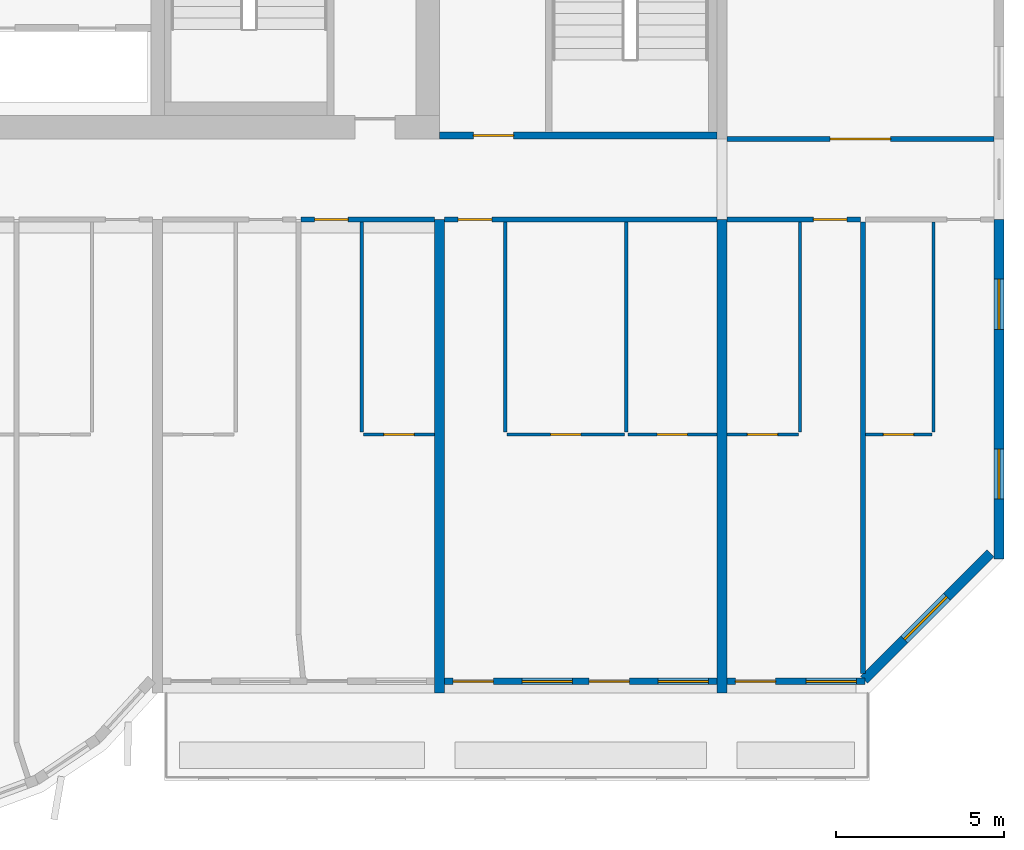
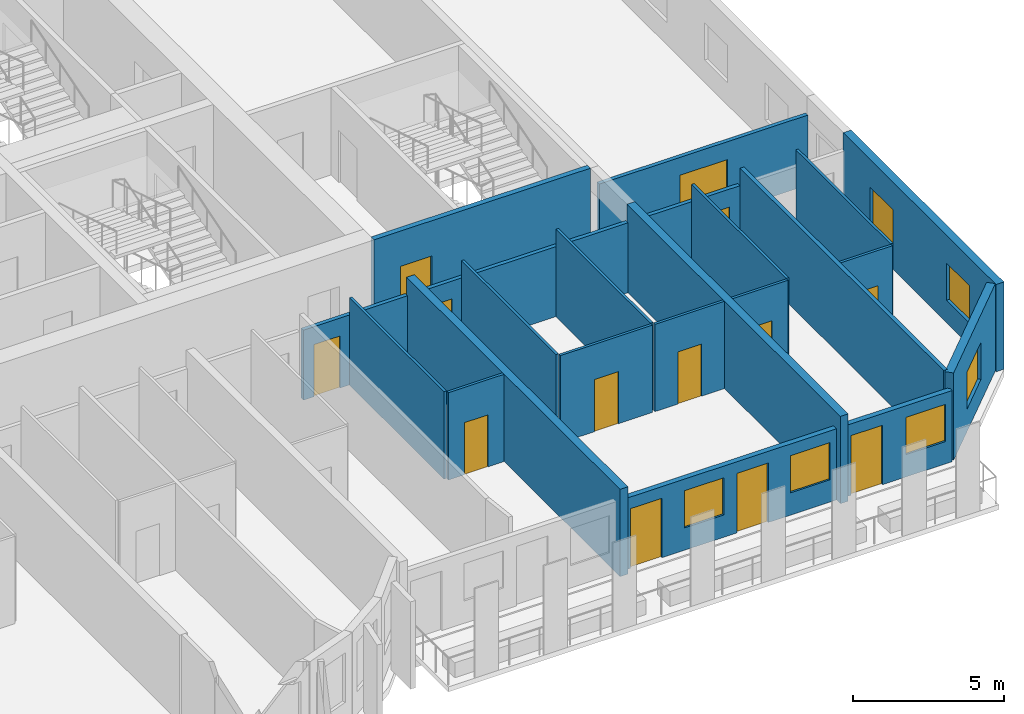
# One storey, part 8 of 13: 22 walls, 13 doors, 6 windows, 19 openings.
"""IFC4 building model written with IfcOpenShell, lengths in metres."""

from ifc_helpers import new_model, si_unit, direction, frame, frame_2d, origin, place, context, subcontext, project, spatial, rectangle, extrude, source, transform, mapped, material, layer, layer_set, type_object, element, fill, save


model = new_model("IFC4")

# Units and contexts
model_context = context("Model", 3, precision=1e-05, world=origin(), true_north=direction((0.0, 1.0)))
body_context = subcontext(model_context, "Body", "Model", "MODEL_VIEW")
ifc_project = project(units=[si_unit("LENGTHUNIT", "METRE"), si_unit("AREAUNIT", "SQUARE_METRE"), si_unit("VOLUMEUNIT", "CUBIC_METRE"), si_unit("PLANEANGLEUNIT", "RADIAN"), si_unit("MASSUNIT", "GRAM", prefix="KILO")], contexts=[model_context])

# Site, building, storey
site_placement = place(None, origin())
site = spatial("IfcSite", under=ifc_project, at=site_placement, CompositionType="ELEMENT")
building_placement = place(site_placement, origin())
building = spatial("IfcBuilding", under=site, at=building_placement, Name="Vanashikhar Sky Hotel", CompositionType="ELEMENT")
storey_placement = place(building_placement, frame((0.0, 0.0, 159.199951171875)))
storey = spatial("IfcBuildingStorey", under=building, at=storey_placement, Name="L38", CompositionType="ELEMENT", Elevation=159.199951171875)

# Wall, openings, windows
ifc_material_1 = material(Name="Concrete M60", Category="concrete")
ifc_layer_1 = layer(ifc_material_1, 0.300048828125)
ifc_layer_set_1 = layer_set([ifc_layer_1], Name="RC shear wall 300 Concrete M60")
wall_type_1 = type_object("IfcWallType", Name="RC shear wall 300 Concrete M60", PredefinedType="SHEAR", material=ifc_layer_set_1)
shared_shape_1 = source(origin(), body_context, "Body", "SweptSolid", [
    extrude(rectangle(XDim=10.10009765625, YDim=0.300048828125, at=frame_2d((5.050048828125, 0.0))), origin(), (0.0, 0.0, 1.0), 3.52001953125),
])
wall_1_placement = place(storey_placement, frame((92.25, 9.5, 0.0), z_axis=(0.0, 0.0, 1.0), x_axis=(0.0, 1.0, 0.0)))
wall_1 = element("IfcWall", 1, at=wall_1_placement, inside=storey, type_object=wall_type_1, Name="CW-L38-XW12-1", PredefinedType="SHEAR", context=body_context, shape_type="MappedRepresentation", body=[
    mapped(shared_shape_1, transform((0.0, 0.0, 0.0), scale=1.0)),
])
shared_shape_2 = source(origin(), body_context, "Body", "SweptSolid", [
    extrude(rectangle(XDim=1.5, YDim=1.5, at=frame_2d((0.75, 0.75))), frame((0.0, 0.16015625, 0.0), z_axis=(0.0, -1.0, 0.0), x_axis=(1.0, 0.0, 0.0)), (0.0, 0.0, 1.0), 0.320068359375),
])
opening_1_placement = place(wall_1_placement, frame((1.77490234375, 0.0, 0.89990234375)))
opening_1 = element("IfcOpeningElement", 2, at=opening_1_placement, cuts=wall_1, Name="Opening WN-1", PredefinedType="OPENING", context=body_context, shape_type="MappedRepresentation", body=[
    mapped(shared_shape_2, transform((0.0, 0.0, 0.0), scale=1.0)),
])
opening_2_placement = place(wall_1_placement, frame((6.824951171875, 0.0, 0.89990234375)))
opening_2 = element("IfcOpeningElement", 3, at=opening_2_placement, cuts=wall_1, Name="Opening WN-1", PredefinedType="OPENING", context=body_context, shape_type="MappedRepresentation", body=[
    mapped(shared_shape_2, transform((0.0, 0.0, 0.0), scale=1.0)),
])
ifc_material_2 = material(Name="Glass", Category="glass")
window_type_1 = type_object("IfcWindowType", Name="Window 1500 x 1500", PartitioningType="SINGLE_PANEL", PredefinedType="WINDOW", material=ifc_material_2)
shared_shape_3 = source(origin(), body_context, "Body", "SweptSolid", [
    extrude(rectangle(XDim=1.5, YDim=1.5, at=frame_2d((0.75, 0.75))), frame((0.0, 0.030029296875, 0.0), z_axis=(0.0, -1.0, 0.0), x_axis=(1.0, 0.0, 0.0)), (0.0, 0.0, 1.0), 0.06005859375),
])
window_1_placement = place(opening_1_placement, origin())
window_1 = element("IfcWindow", 4, at=window_1_placement, inside=storey, type_object=window_type_1, Name="Window WN-1", OverallHeight=1.5, OverallWidth=1.5, PartitioningType="SINGLE_PANEL", PredefinedType="WINDOW", context=body_context, shape_type="MappedRepresentation", body=[
    mapped(shared_shape_3, transform((0.0, 0.0, 0.0), scale=1.0)),
])
fill(opening_1, window_1)
window_2_placement = place(opening_2_placement, origin())
window_2 = element("IfcWindow", 5, at=window_2_placement, inside=storey, type_object=window_type_1, Name="Window WN-1", OverallHeight=1.5, OverallWidth=1.5, PartitioningType="SINGLE_PANEL", PredefinedType="WINDOW", context=body_context, shape_type="MappedRepresentation", body=[
    mapped(shared_shape_3, transform((0.0, 0.0, 0.0), scale=1.0)),
])
fill(opening_2, window_2)

# Walls
shared_shape_4 = source(origin(), body_context, "Body", "SweptSolid", [
    extrude(rectangle(XDim=14.10009765625, YDim=0.300048828125, at=frame_2d((7.050048828125, 0.0))), origin(), (0.0, 0.0, 1.0), 3.52001953125),
])
for number, where, z_axis, x_axis, name in (
    (6, (75.60009765625, 5.5, 0.0), (0.0, 0.0, 1.0), (0.0, 1.0, 0.0), "CW-L38-XW10-1"),
    (7, (84.0, 5.5, 0.0), (0.0, 0.0, 1.0), (0.0, 1.0, 0.0), "CW-L38-XW11-1"),
):
    element("IfcWall", number, at=place(storey_placement, frame(where, z_axis=z_axis, x_axis=x_axis)), inside=storey, type_object=wall_type_1, Name=name, PredefinedType="SHEAR", context=body_context, shape_type="MappedRepresentation", body=[
        mapped(shared_shape_4, transform((0.0, 0.0, 0.0), scale=1.0)),
    ])

# Wall, opening, window
ifc_material_3 = material(Name="Concrete M50", Category="concrete")
ifc_layer_2 = layer(ifc_material_3, 0.300048828125)
ifc_layer_set_2 = layer_set([ifc_layer_2], Name="Lobe wall 300")
wall_type_2 = type_object("IfcWallType", Name="Lobe wall 300", PredefinedType="SOLIDWALL", material=ifc_layer_set_2)
shared_shape_5 = source(origin(), body_context, "Body", "SweptSolid", [
    extrude(rectangle(XDim=5.32568359375, YDim=0.300048828125, at=frame_2d((2.662841796875, 0.0))), origin(), (0.0, 0.0, 1.0), 3.52001953125),
])
wall_2_placement = place(storey_placement, frame((88.234375, 5.89990234375, 0.0), z_axis=(0.0, 0.0, 1.0), x_axis=(0.707083859269, 0.707129702361, 0.0)))
wall_2 = element("IfcWall", 8, at=wall_2_placement, inside=storey, type_object=wall_type_2, Name="Corner wall", PredefinedType="SOLIDWALL", context=body_context, shape_type="MappedRepresentation", body=[
    mapped(shared_shape_5, transform((0.0, 0.0, 0.0), scale=1.0)),
])
shared_shape_6 = source(origin(), body_context, "Body", "SweptSolid", [
    extrude(rectangle(XDim=1.800048828125, YDim=1.5, at=frame_2d((0.89990234375, 0.75))), frame((0.0, 0.16015625, 0.0), z_axis=(0.0, -1.0, 0.0), x_axis=(1.0, 0.0, 0.0)), (0.0, 0.0, 1.0), 0.320068359375),
])
opening_3_placement = place(wall_2_placement, frame((1.689453125, 0.0, 0.89990234375)))
opening_3 = element("IfcOpeningElement", 9, at=opening_3_placement, cuts=wall_2, Name="Opening WN-4", PredefinedType="OPENING", context=body_context, shape_type="MappedRepresentation", body=[
    mapped(shared_shape_6, transform((0.0, 0.0, 0.0), scale=1.0)),
])
window_type_2 = type_object("IfcWindowType", Name="Corner window 1800 x 1500", PartitioningType="SINGLE_PANEL", PredefinedType="WINDOW", material=ifc_material_2)
shared_shape_7 = source(origin(), body_context, "Body", "SweptSolid", [
    extrude(rectangle(XDim=1.800048828125, YDim=1.5, at=frame_2d((0.89990234375, 0.75))), frame((0.0, 0.030029296875, 0.0), z_axis=(0.0, -1.0, 0.0), x_axis=(1.0, 0.0, 0.0)), (0.0, 0.0, 1.0), 0.06005859375),
])
window_3_placement = place(opening_3_placement, origin())
window_3 = element("IfcWindow", 10, at=window_3_placement, inside=storey, type_object=window_type_2, Name="Window WN-4", OverallHeight=1.5, OverallWidth=1.800048828125, PartitioningType="SINGLE_PANEL", PredefinedType="WINDOW", context=body_context, shape_type="MappedRepresentation", body=[
    mapped(shared_shape_7, transform((0.0, 0.0, 0.0), scale=1.0)),
])
fill(opening_3, window_3)

# Wall, openings, window, door
ifc_layer_3 = layer(ifc_material_3, 0.199951171875)
ifc_layer_set_3 = layer_set([ifc_layer_3], Name="Front window wall 200")
wall_type_3 = type_object("IfcWallType", Name="Front window wall 200", PredefinedType="SOLIDWALL", material=ifc_layer_set_3)
shared_shape_8 = source(origin(), body_context, "Body", "SweptSolid", [
    extrude(rectangle(XDim=4.10498046875, YDim=0.199951171875, at=frame_2d((2.052490234375, 0.0))), origin(), (0.0, 0.0, 1.0), 2.8701171875),
])
wall_3_placement = place(storey_placement, frame((84.14990234375, 5.85009765625, 0.0), z_axis=(0.0, 0.0, 1.0), x_axis=(1.0, 0.0, 0.0)))
wall_3 = element("IfcWall", 11, at=wall_3_placement, inside=storey, type_object=wall_type_3, Name="Front window wall", PredefinedType="SOLIDWALL", context=body_context, shape_type="MappedRepresentation", body=[
    mapped(shared_shape_8, transform((0.0, 0.0, 0.0), scale=1.0)),
])
shared_shape_9 = source(origin(), body_context, "Body", "SweptSolid", [
    extrude(rectangle(XDim=1.199951171875, YDim=2.39990234375, at=frame_2d((0.60009765625, 1.199951171875))), frame((0.0, 0.10986328125, 0.0), z_axis=(0.0, -1.0, 0.0), x_axis=(1.0, 0.0, 0.0)), (0.0, 0.0, 1.0), 0.219970703125),
])
opening_4_placement = place(wall_3_placement, frame((0.25, 0.0, 0.0)))
opening_4 = element("IfcOpeningElement", 12, at=opening_4_placement, cuts=wall_3, Name="Opening BD-10", PredefinedType="OPENING", context=body_context, shape_type="MappedRepresentation", body=[
    mapped(shared_shape_9, transform((0.0, 0.0, 0.0), scale=1.0)),
])
shared_shape_10 = source(origin(), body_context, "Body", "SweptSolid", [
    extrude(rectangle(XDim=1.5, YDim=1.5, at=frame_2d((0.75, 0.75))), frame((0.0, 0.10986328125, 0.0), z_axis=(0.0, -1.0, 0.0), x_axis=(1.0, 0.0, 0.0)), (0.0, 0.0, 1.0), 0.219970703125),
])
opening_5_placement = place(wall_3_placement, frame((2.35498046875, 0.0, 0.89990234375)))
opening_5 = element("IfcOpeningElement", 13, at=opening_5_placement, cuts=wall_3, Name="Opening WN-1", PredefinedType="OPENING", context=body_context, shape_type="MappedRepresentation", body=[
    mapped(shared_shape_10, transform((0.0, 0.0, 0.0), scale=1.0)),
])
window_4_placement = place(opening_5_placement, origin())
window_4 = element("IfcWindow", 14, at=window_4_placement, inside=storey, type_object=window_type_1, Name="Window WN-1", OverallHeight=1.5, OverallWidth=1.5, PartitioningType="SINGLE_PANEL", PredefinedType="WINDOW", context=body_context, shape_type="MappedRepresentation", body=[
    mapped(shared_shape_3, transform((0.0, 0.0, 0.0), scale=1.0)),
])
fill(opening_5, window_4)
ifc_material_4 = material(Name="Aluminium", Category="aluminium")
door_type_1 = type_object("IfcDoorType", Name="Balcony sliding door 1200 x 2400", OperationType="NOTDEFINED", PredefinedType="DOOR", material=ifc_material_4)
shared_shape_11 = source(origin(), body_context, "Body", "SweptSolid", [
    extrude(rectangle(XDim=1.199951171875, YDim=2.39990234375, at=frame_2d((0.60009765625, 1.199951171875))), frame((0.0, 0.02490234375, 0.0), z_axis=(0.0, -1.0, 0.0), x_axis=(1.0, 0.0, 0.0)), (0.0, 0.0, 1.0), 0.050048828125),
])
door_1_placement = place(opening_4_placement, origin())
door_1 = element("IfcDoor", 15, at=door_1_placement, inside=storey, type_object=door_type_1, Name="Balcony sliding door", OperationType="SLIDING_TO_RIGHT", OverallHeight=2.39990234375, OverallWidth=1.199951171875, PredefinedType="DOOR", context=body_context, shape_type="MappedRepresentation", body=[
    mapped(shared_shape_11, transform((0.0, 0.0, 0.0), scale=1.0)),
])
fill(opening_4, door_1)

# Wall, openings, windows, doors
shared_shape_12 = source(origin(), body_context, "Body", "SweptSolid", [
    extrude(rectangle(XDim=8.10009765625, YDim=0.199951171875, at=frame_2d((4.050048828125, 0.0))), origin(), (0.0, 0.0, 1.0), 2.8701171875),
])
wall_4_placement = place(storey_placement, frame((75.75, 5.85009765625, 0.0), z_axis=(0.0, 0.0, 1.0), x_axis=(1.0, 0.0, 0.0)))
wall_4 = element("IfcWall", 16, at=wall_4_placement, inside=storey, type_object=wall_type_3, Name="Front window wall", PredefinedType="SOLIDWALL", context=body_context, shape_type="MappedRepresentation", body=[
    mapped(shared_shape_12, transform((0.0, 0.0, 0.0), scale=1.0)),
])
opening_6_placement = place(wall_4_placement, frame((0.25, 0.0, 0.0)))
opening_6 = element("IfcOpeningElement", 17, at=opening_6_placement, cuts=wall_4, Name="Opening BD-08", PredefinedType="OPENING", context=body_context, shape_type="MappedRepresentation", body=[
    mapped(shared_shape_9, transform((0.0, 0.0, 0.0), scale=1.0)),
])
opening_7_placement = place(wall_4_placement, frame((2.300048828125, 0.0, 0.89990234375)))
opening_7 = element("IfcOpeningElement", 18, at=opening_7_placement, cuts=wall_4, Name="Opening WN-1", PredefinedType="OPENING", context=body_context, shape_type="MappedRepresentation", body=[
    mapped(shared_shape_10, transform((0.0, 0.0, 0.0), scale=1.0)),
])
opening_8_placement = place(wall_4_placement, frame((4.300048828125, 0.0, 0.0)))
opening_8 = element("IfcOpeningElement", 19, at=opening_8_placement, cuts=wall_4, Name="Opening BD-09", PredefinedType="OPENING", context=body_context, shape_type="MappedRepresentation", body=[
    mapped(shared_shape_9, transform((0.0, 0.0, 0.0), scale=1.0)),
])
opening_9_placement = place(wall_4_placement, frame((6.35009765625, 0.0, 0.89990234375)))
opening_9 = element("IfcOpeningElement", 20, at=opening_9_placement, cuts=wall_4, Name="Opening WN-1", PredefinedType="OPENING", context=body_context, shape_type="MappedRepresentation", body=[
    mapped(shared_shape_10, transform((0.0, 0.0, 0.0), scale=1.0)),
])
window_5_placement = place(opening_7_placement, origin())
window_5 = element("IfcWindow", 21, at=window_5_placement, inside=storey, type_object=window_type_1, Name="Window WN-1", OverallHeight=1.5, OverallWidth=1.5, PartitioningType="SINGLE_PANEL", PredefinedType="WINDOW", context=body_context, shape_type="MappedRepresentation", body=[
    mapped(shared_shape_3, transform((0.0, 0.0, 0.0), scale=1.0)),
])
fill(opening_7, window_5)
window_6_placement = place(opening_9_placement, origin())
window_6 = element("IfcWindow", 22, at=window_6_placement, inside=storey, type_object=window_type_1, Name="Window WN-1", OverallHeight=1.5, OverallWidth=1.5, PartitioningType="SINGLE_PANEL", PredefinedType="WINDOW", context=body_context, shape_type="MappedRepresentation", body=[
    mapped(shared_shape_3, transform((0.0, 0.0, 0.0), scale=1.0)),
])
fill(opening_9, window_6)
door_2_placement = place(opening_6_placement, origin())
door_2 = element("IfcDoor", 23, at=door_2_placement, inside=storey, type_object=door_type_1, Name="Balcony sliding door", OperationType="SLIDING_TO_RIGHT", OverallHeight=2.39990234375, OverallWidth=1.199951171875, PredefinedType="DOOR", context=body_context, shape_type="MappedRepresentation", body=[
    mapped(shared_shape_11, transform((0.0, 0.0, 0.0), scale=1.0)),
])
fill(opening_6, door_2)
door_3_placement = place(opening_8_placement, origin())
door_3 = element("IfcDoor", 24, at=door_3_placement, inside=storey, type_object=door_type_1, Name="Balcony sliding door", OperationType="SLIDING_TO_LEFT", OverallHeight=2.39990234375, OverallWidth=1.199951171875, PredefinedType="DOOR", context=body_context, shape_type="MappedRepresentation", body=[
    mapped(shared_shape_11, transform((0.0, 0.0, 0.0), scale=1.0)),
])
fill(opening_8, door_3)

# Wall, opening, door
ifc_layer_4 = layer(ifc_material_3, 0.199951171875)
ifc_layer_set_4 = layer_set([ifc_layer_4], Name="Stair wall 200")
wall_type_4 = type_object("IfcWallType", Name="Stair wall 200", PredefinedType="SOLIDWALL", material=ifc_layer_set_4)
shared_shape_13 = source(origin(), body_context, "Body", "SweptSolid", [
    extrude(rectangle(XDim=8.25, YDim=0.199951171875, at=frame_2d((4.125, 0.0))), origin(), (0.0, 0.0, 1.0), 3.52001953125),
])
wall_5_placement = place(storey_placement, frame((83.85009765625, 22.10009765625, 0.0), z_axis=(0.0, 0.0, 1.0), x_axis=(-1.0, 0.0, 0.0)))
wall_5 = element("IfcWall", 25, at=wall_5_placement, inside=storey, type_object=wall_type_4, Name="Stair wall 200", PredefinedType="SOLIDWALL", context=body_context, shape_type="MappedRepresentation", body=[
    mapped(shared_shape_13, transform((0.0, 0.0, 0.0), scale=1.0)),
])
shared_shape_14 = source(origin(), body_context, "Body", "SweptSolid", [
    extrude(rectangle(XDim=1.199951171875, YDim=2.10009765625, at=frame_2d((0.60009765625, 1.050048828125))), frame((0.0, 0.10986328125, 0.0), z_axis=(0.0, -1.0, 0.0), x_axis=(1.0, 0.0, 0.0)), (0.0, 0.0, 1.0), 0.219970703125),
])
opening_10_placement = place(wall_5_placement, frame((6.050048828125, 0.0, 0.0)))
opening_10 = element("IfcOpeningElement", 26, at=opening_10_placement, cuts=wall_5, Name="Opening DC-2", PredefinedType="OPENING", context=body_context, shape_type="MappedRepresentation", body=[
    mapped(shared_shape_14, transform((0.0, 0.0, 0.0), scale=1.0)),
])
ifc_material_5 = material(Name="Steel", Category="steel")
door_type_2 = type_object("IfcDoorType", Name="Firefighting lobby door 1200 FD120", OperationType="NOTDEFINED", PredefinedType="DOOR", material=ifc_material_5)
shared_shape_15 = source(origin(), body_context, "Body", "SweptSolid", [
    extrude(rectangle(XDim=1.199951171875, YDim=2.10009765625, at=frame_2d((0.60009765625, 1.050048828125))), frame((0.0, 0.02490234375, 0.0), z_axis=(0.0, -1.0, 0.0), x_axis=(1.0, 0.0, 0.0)), (0.0, 0.0, 1.0), 0.050048828125),
])
door_4_placement = place(opening_10_placement, origin())
door_4 = element("IfcDoor", 27, at=door_4_placement, inside=storey, type_object=door_type_2, Name="Firefighting lobby door 1200 FD120", OperationType="SINGLE_SWING_RIGHT", OverallHeight=2.10009765625, OverallWidth=1.199951171875, PredefinedType="DOOR", context=body_context, shape_type="MappedRepresentation", body=[
    mapped(shared_shape_15, transform((0.0, 0.0, 0.0), scale=1.0)),
])
fill(opening_10, door_4)

ifc_material_6 = material(Name="Gypsum plasterboard partition")
ifc_layer_5 = layer(ifc_material_6, 0.10009765625)
ifc_layer_set_5 = layer_set([ifc_layer_5], Name="Wet room partition 100")
wall_type_5 = type_object("IfcWallType", Name="Wet room partition 100", PredefinedType="PARTITIONING", material=ifc_layer_set_5)
shared_shape_16 = source(origin(), body_context, "Body", "SweptSolid", [
    extrude(rectangle(XDim=3.5, YDim=0.10009765625, at=frame_2d((1.75, 0.0))), origin(), (0.0, 0.0, 1.0), 3.52001953125),
])
wall_6_placement = place(storey_placement, frame((77.60009765625, 13.199951171875, 0.0), z_axis=(0.0, 0.0, 1.0), x_axis=(1.0, 0.0, 0.0)))
wall_6 = element("IfcWall", 28, at=wall_6_placement, inside=storey, type_object=wall_type_5, Name="W-L38-PW043", PredefinedType="PARTITIONING", context=body_context, shape_type="MappedRepresentation", body=[
    mapped(shared_shape_16, transform((0.0, 0.0, 0.0), scale=1.0)),
])
shared_shape_17 = source(origin(), body_context, "Body", "SweptSolid", [
    extrude(rectangle(XDim=0.89990234375, YDim=2.10009765625, at=frame_2d((0.449951171875, 1.050048828125))), frame((0.0, 0.06005859375, 0.0), z_axis=(0.0, -1.0, 0.0), x_axis=(1.0, 0.0, 0.0)), (0.0, 0.0, 1.0), 0.1201171875),
])
opening_11_placement = place(wall_6_placement, frame((1.300048828125, 0.0, 0.0)))
opening_11 = element("IfcOpeningElement", 29, at=opening_11_placement, cuts=wall_6, Name="Opening D-02", PredefinedType="OPENING", context=body_context, shape_type="MappedRepresentation", body=[
    mapped(shared_shape_17, transform((0.0, 0.0, 0.0), scale=1.0)),
])
ifc_material_7 = material(Name="Timber door", Category="wood")
door_type_3 = type_object("IfcDoorType", Name="Internal door 900", OperationType="NOTDEFINED", PredefinedType="DOOR", material=ifc_material_7)
shared_shape_18 = source(origin(), body_context, "Body", "SweptSolid", [
    extrude(rectangle(XDim=0.89990234375, YDim=2.10009765625, at=frame_2d((0.449951171875, 1.050048828125))), frame((0.0, 0.02490234375, 0.0), z_axis=(0.0, -1.0, 0.0), x_axis=(1.0, 0.0, 0.0)), (0.0, 0.0, 1.0), 0.050048828125),
])
door_5_placement = place(opening_11_placement, origin())
door_5 = element("IfcDoor", 30, at=door_5_placement, inside=storey, type_object=door_type_3, Name="D-L38-025", OperationType="SINGLE_SWING_LEFT", OverallHeight=2.10009765625, OverallWidth=0.89990234375, PredefinedType="DOOR", context=body_context, shape_type="MappedRepresentation", body=[
    mapped(shared_shape_18, transform((0.0, 0.0, 0.0), scale=1.0)),
])
fill(opening_11, door_5)

# Walls
shared_shape_19 = source(origin(), body_context, "Body", "SweptSolid", [
    extrude(rectangle(XDim=6.25, YDim=0.10009765625, at=frame_2d((3.125, 0.0))), origin(), (0.0, 0.0, 1.0), 3.52001953125),
])
for number, where, z_axis, x_axis, name in (
    (31, (73.27490234375, 13.27490234375, 0.0), (0.0, 0.0, 1.0), (0.0, 1.0, 0.0), "W-L38-PW037"),
    (32, (77.550048828125, 13.27490234375, 0.0), (0.0, 0.0, 1.0), (0.0, 1.0, 0.0), "W-L38-PW041"),
    (33, (81.14990234375, 13.27490234375, 0.0), (0.0, 0.0, 1.0), (0.0, 1.0, 0.0), "W-L38-PW042"),
    (34, (86.324951171875, 13.27490234375, 0.0), (0.0, 0.0, 1.0), (0.0, 1.0, 0.0), "W-L38-PW046"),
    (35, (90.300048828125, 13.27490234375, 0.0), (0.0, 0.0, 1.0), (0.0, 1.0, 0.0), "W-L38-PW049"),
):
    element("IfcWall", number, at=place(storey_placement, frame(where, z_axis=z_axis, x_axis=x_axis)), inside=storey, type_object=wall_type_5, Name=name, PredefinedType="PARTITIONING", context=body_context, shape_type="MappedRepresentation", body=[
        mapped(shared_shape_19, transform((0.0, 0.0, 0.0), scale=1.0)),
    ])

# Wall, opening, door
ifc_layer_6 = layer(ifc_material_6, 0.14990234375)
ifc_layer_set_6 = layer_set([ifc_layer_6], Name="Corridor and demising partition 150")
wall_type_6 = type_object("IfcWallType", Name="Corridor and demising partition 150", PredefinedType="PARTITIONING", material=ifc_layer_set_6)
shared_shape_20 = source(origin(), body_context, "Body", "SweptSolid", [
    extrude(rectangle(XDim=7.9501953125, YDim=0.14990234375, at=frame_2d((3.97509765625, 0.0))), origin(), (0.0, 0.0, 1.0), 2.820068359375),
])
wall_7_placement = place(storey_placement, frame((84.14990234375, 22.0, 0.0), z_axis=(0.0, 0.0, 1.0), x_axis=(1.0, 0.0, 0.0)))
wall_7 = element("IfcWall", 36, at=wall_7_placement, inside=storey, type_object=wall_type_6, Name="W-L38-PW060", PredefinedType="PARTITIONING", context=body_context, shape_type="MappedRepresentation", body=[
    mapped(shared_shape_20, transform((0.0, 0.0, 0.0), scale=1.0)),
])
shared_shape_21 = source(origin(), body_context, "Body", "SweptSolid", [
    extrude(rectangle(XDim=1.800048828125, YDim=2.10009765625, at=frame_2d((0.89990234375, 1.050048828125))), frame((0.0, 0.0849609375, 0.0), z_axis=(0.0, -1.0, 0.0), x_axis=(1.0, 0.0, 0.0)), (0.0, 0.0, 1.0), 0.169921875),
])
opening_12_placement = place(wall_7_placement, frame((3.074951171875, 0.0, 0.0)))
opening_12 = element("IfcOpeningElement", 37, at=opening_12_placement, cuts=wall_7, Name="Opening D-03", PredefinedType="OPENING", context=body_context, shape_type="MappedRepresentation", body=[
    mapped(shared_shape_21, transform((0.0, 0.0, 0.0), scale=1.0)),
])
ifc_material_8 = material(Name="Timber fire door", Category="wood")
door_type_4 = type_object("IfcDoorType", Name="Double leaf door 1800 FD30S", OperationType="NOTDEFINED", PredefinedType="DOOR", material=ifc_material_8)
shared_shape_22 = source(origin(), body_context, "Body", "SweptSolid", [
    extrude(rectangle(XDim=1.800048828125, YDim=2.10009765625, at=frame_2d((0.89990234375, 1.050048828125))), frame((0.0, 0.02490234375, 0.0), z_axis=(0.0, -1.0, 0.0), x_axis=(1.0, 0.0, 0.0)), (0.0, 0.0, 1.0), 0.050048828125),
])
door_6_placement = place(opening_12_placement, origin())
door_6 = element("IfcDoor", 38, at=door_6_placement, inside=storey, type_object=door_type_4, Name="D-L38-035", OperationType="DOUBLE_DOOR_SINGLE_SWING", OverallHeight=2.10009765625, OverallWidth=1.800048828125, PredefinedType="DOOR", context=body_context, shape_type="MappedRepresentation", body=[
    mapped(shared_shape_22, transform((0.0, 0.0, 0.0), scale=1.0)),
])
fill(opening_12, door_6)

# Wall
shared_shape_23 = source(origin(), body_context, "Body", "SweptSolid", [
    extrude(rectangle(XDim=13.447021484375, YDim=0.14990234375, at=frame_2d((6.7236328125, 0.0))), origin(), (0.0, 0.0, 1.0), 3.52001953125),
])
wall_8_placement = place(storey_placement, frame((88.199951171875, 6.077880859375, 0.0), z_axis=(0.0, 0.0, 1.0), x_axis=(0.0, 1.0, 0.0)))
element("IfcWall", 39, at=wall_8_placement, inside=storey, type_object=wall_type_6, Name="W-L38-PW052", PredefinedType="PARTITIONING", context=body_context, shape_type="MappedRepresentation", body=[
    mapped(shared_shape_23, transform((0.0, 0.0, 0.0), scale=1.0)),
])

# Wall, opening, door
shared_shape_24 = source(origin(), body_context, "Body", "SweptSolid", [
    extrude(rectangle(XDim=2.125, YDim=0.10009765625, at=frame_2d((1.0625, 0.0))), origin(), (0.0, 0.0, 1.0), 3.52001953125),
])
wall_9_placement = place(storey_placement, frame((73.324951171875, 13.199951171875, 0.0), z_axis=(0.0, 0.0, 1.0), x_axis=(1.0, 0.0, 0.0)))
wall_9 = element("IfcWall", 40, at=wall_9_placement, inside=storey, type_object=wall_type_5, Name="W-L38-PW038", PredefinedType="PARTITIONING", context=body_context, shape_type="MappedRepresentation", body=[
    mapped(shared_shape_24, transform((0.0, 0.0, 0.0), scale=1.0)),
])
opening_13_placement = place(wall_9_placement, frame((0.612060546875, 0.0, 0.0)))
opening_13 = element("IfcOpeningElement", 41, at=opening_13_placement, cuts=wall_9, Name="Opening D-02", PredefinedType="OPENING", context=body_context, shape_type="MappedRepresentation", body=[
    mapped(shared_shape_17, transform((0.0, 0.0, 0.0), scale=1.0)),
])
door_7_placement = place(opening_13_placement, origin())
door_7 = element("IfcDoor", 42, at=door_7_placement, inside=storey, type_object=door_type_3, Name="D-L38-023", OperationType="SINGLE_SWING_LEFT", OverallHeight=2.10009765625, OverallWidth=0.89990234375, PredefinedType="DOOR", context=body_context, shape_type="MappedRepresentation", body=[
    mapped(shared_shape_18, transform((0.0, 0.0, 0.0), scale=1.0)),
])
fill(opening_13, door_7)

wall_10_placement = place(storey_placement, frame((84.14990234375, 13.199951171875, 0.0), z_axis=(0.0, 0.0, 1.0), x_axis=(1.0, 0.0, 0.0)))
wall_10 = element("IfcWall", 43, at=wall_10_placement, inside=storey, type_object=wall_type_5, Name="W-L38-PW047", PredefinedType="PARTITIONING", context=body_context, shape_type="MappedRepresentation", body=[
    mapped(shared_shape_24, transform((0.0, 0.0, 0.0), scale=1.0)),
])
opening_14_placement = place(wall_10_placement, frame((0.612060546875, 0.0, 0.0)))
opening_14 = element("IfcOpeningElement", 44, at=opening_14_placement, cuts=wall_10, Name="Opening D-02", PredefinedType="OPENING", context=body_context, shape_type="MappedRepresentation", body=[
    mapped(shared_shape_17, transform((0.0, 0.0, 0.0), scale=1.0)),
])
door_8_placement = place(opening_14_placement, origin())
door_8 = element("IfcDoor", 45, at=door_8_placement, inside=storey, type_object=door_type_3, Name="D-L38-028", OperationType="SINGLE_SWING_RIGHT", OverallHeight=2.10009765625, OverallWidth=0.89990234375, PredefinedType="DOOR", context=body_context, shape_type="MappedRepresentation", body=[
    mapped(shared_shape_18, transform((0.0, 0.0, 0.0), scale=1.0)),
])
fill(opening_14, door_8)

shared_shape_25 = source(origin(), body_context, "Body", "SweptSolid", [
    extrude(rectangle(XDim=2.650146484375, YDim=0.10009765625, at=frame_2d((1.3251953125, 0.0))), origin(), (0.0, 0.0, 1.0), 3.52001953125),
])
wall_11_placement = place(storey_placement, frame((81.199951171875, 13.199951171875, 0.0), z_axis=(0.0, 0.0, 1.0), x_axis=(1.0, 0.0, 0.0)))
wall_11 = element("IfcWall", 46, at=wall_11_placement, inside=storey, type_object=wall_type_5, Name="W-L38-PW044", PredefinedType="PARTITIONING", context=body_context, shape_type="MappedRepresentation", body=[
    mapped(shared_shape_25, transform((0.0, 0.0, 0.0), scale=1.0)),
])
opening_15_placement = place(wall_11_placement, frame((0.875, 0.0, 0.0)))
opening_15 = element("IfcOpeningElement", 47, at=opening_15_placement, cuts=wall_11, Name="Opening D-02", PredefinedType="OPENING", context=body_context, shape_type="MappedRepresentation", body=[
    mapped(shared_shape_17, transform((0.0, 0.0, 0.0), scale=1.0)),
])
door_9_placement = place(opening_15_placement, origin())
door_9 = element("IfcDoor", 48, at=door_9_placement, inside=storey, type_object=door_type_3, Name="D-L38-026", OperationType="SINGLE_SWING_LEFT", OverallHeight=2.10009765625, OverallWidth=0.89990234375, PredefinedType="DOOR", context=body_context, shape_type="MappedRepresentation", body=[
    mapped(shared_shape_18, transform((0.0, 0.0, 0.0), scale=1.0)),
])
fill(opening_15, door_9)

shared_shape_26 = source(origin(), body_context, "Body", "SweptSolid", [
    extrude(rectangle(XDim=1.97509765625, YDim=0.10009765625, at=frame_2d((0.987548828125, 0.0))), origin(), (0.0, 0.0, 1.0), 3.52001953125),
])
wall_12_placement = place(storey_placement, frame((88.27490234375, 13.199951171875, 0.0), z_axis=(0.0, 0.0, 1.0), x_axis=(1.0, 0.0, 0.0)))
wall_12 = element("IfcWall", 49, at=wall_12_placement, inside=storey, type_object=wall_type_5, Name="W-L38-PW050", PredefinedType="PARTITIONING", context=body_context, shape_type="MappedRepresentation", body=[
    mapped(shared_shape_26, transform((0.0, 0.0, 0.0), scale=1.0)),
])
opening_16_placement = place(wall_12_placement, frame((0.537109375, 0.0, 0.0)))
opening_16 = element("IfcOpeningElement", 50, at=opening_16_placement, cuts=wall_12, Name="Opening D-02", PredefinedType="OPENING", context=body_context, shape_type="MappedRepresentation", body=[
    mapped(shared_shape_17, transform((0.0, 0.0, 0.0), scale=1.0)),
])
door_10_placement = place(opening_16_placement, origin())
door_10 = element("IfcDoor", 51, at=door_10_placement, inside=storey, type_object=door_type_3, Name="D-L38-030", OperationType="SINGLE_SWING_RIGHT", OverallHeight=2.10009765625, OverallWidth=0.89990234375, PredefinedType="DOOR", context=body_context, shape_type="MappedRepresentation", body=[
    mapped(shared_shape_18, transform((0.0, 0.0, 0.0), scale=1.0)),
])
fill(opening_16, door_10)

shared_shape_27 = source(origin(), body_context, "Body", "SweptSolid", [
    extrude(rectangle(XDim=8.10009765625, YDim=0.14990234375, at=frame_2d((4.050048828125, 0.0))), origin(), (0.0, 0.0, 1.0), 2.820068359375),
])
wall_13_placement = place(storey_placement, frame((75.75, 19.60009765625, 0.0), z_axis=(0.0, 0.0, 1.0), x_axis=(1.0, 0.0, 0.0)))
wall_13 = element("IfcWall", 52, at=wall_13_placement, inside=storey, type_object=wall_type_6, Name="W-L38-PW045", PredefinedType="PARTITIONING", context=body_context, shape_type="MappedRepresentation", body=[
    mapped(shared_shape_27, transform((0.0, 0.0, 0.0), scale=1.0)),
])
shared_shape_28 = source(origin(), body_context, "Body", "SweptSolid", [
    extrude(rectangle(XDim=1.0, YDim=2.10009765625, at=frame_2d((0.5, 1.050048828125))), frame((0.0, 0.0849609375, 0.0), z_axis=(0.0, -1.0, 0.0), x_axis=(1.0, 0.0, 0.0)), (0.0, 0.0, 1.0), 0.169921875),
])
opening_17_placement = place(wall_13_placement, frame((0.39990234375, 0.0, 0.0)))
opening_17 = element("IfcOpeningElement", 53, at=opening_17_placement, cuts=wall_13, Name="Opening D-01", PredefinedType="OPENING", context=body_context, shape_type="MappedRepresentation", body=[
    mapped(shared_shape_28, transform((0.0, 0.0, 0.0), scale=1.0)),
])
door_type_5 = type_object("IfcDoorType", Name="Guest entry door 1000 FD30S", OperationType="NOTDEFINED", PredefinedType="DOOR", material=ifc_material_8)
shared_shape_29 = source(origin(), body_context, "Body", "SweptSolid", [
    extrude(rectangle(XDim=1.0, YDim=2.10009765625, at=frame_2d((0.5, 1.050048828125))), frame((0.0, 0.02490234375, 0.0), z_axis=(0.0, -1.0, 0.0), x_axis=(1.0, 0.0, 0.0)), (0.0, 0.0, 1.0), 0.050048828125),
])
door_11_placement = place(opening_17_placement, origin())
door_11 = element("IfcDoor", 54, at=door_11_placement, inside=storey, type_object=door_type_5, Name="D-L38-027", OperationType="SINGLE_SWING_LEFT", OverallHeight=2.10009765625, OverallWidth=1.0, PredefinedType="DOOR", context=body_context, shape_type="MappedRepresentation", body=[
    mapped(shared_shape_29, transform((0.0, 0.0, 0.0), scale=1.0)),
])
fill(opening_17, door_11)

shared_shape_30 = source(origin(), body_context, "Body", "SweptSolid", [
    extrude(rectangle(XDim=3.974853515625, YDim=0.14990234375, at=frame_2d((1.9873046875, 0.0))), origin(), (0.0, 0.0, 1.0), 2.820068359375),
])
wall_14_placement = place(storey_placement, frame((71.47509765625, 19.60009765625, 0.0), z_axis=(0.0, 0.0, 1.0), x_axis=(1.0, 0.0, 0.0)))
wall_14 = element("IfcWall", 55, at=wall_14_placement, inside=storey, type_object=wall_type_6, Name="W-L38-PW039", PredefinedType="PARTITIONING", context=body_context, shape_type="MappedRepresentation", body=[
    mapped(shared_shape_30, transform((0.0, 0.0, 0.0), scale=1.0)),
])
opening_18_placement = place(wall_14_placement, frame((0.39990234375, 0.0, 0.0)))
opening_18 = element("IfcOpeningElement", 56, at=opening_18_placement, cuts=wall_14, Name="Opening D-01", PredefinedType="OPENING", context=body_context, shape_type="MappedRepresentation", body=[
    mapped(shared_shape_28, transform((0.0, 0.0, 0.0), scale=1.0)),
])
door_12_placement = place(opening_18_placement, origin())
door_12 = element("IfcDoor", 57, at=door_12_placement, inside=storey, type_object=door_type_5, Name="D-L38-024", OperationType="SINGLE_SWING_LEFT", OverallHeight=2.10009765625, OverallWidth=1.0, PredefinedType="DOOR", context=body_context, shape_type="MappedRepresentation", body=[
    mapped(shared_shape_29, transform((0.0, 0.0, 0.0), scale=1.0)),
])
fill(opening_18, door_12)

shared_shape_31 = source(origin(), body_context, "Body", "SweptSolid", [
    extrude(rectangle(XDim=3.97509765625, YDim=0.14990234375, at=frame_2d((1.987548828125, 0.0))), origin(), (0.0, 0.0, 1.0), 2.820068359375),
])
wall_15_placement = place(storey_placement, frame((84.14990234375, 19.60009765625, 0.0), z_axis=(0.0, 0.0, 1.0), x_axis=(1.0, 0.0, 0.0)))
wall_15 = element("IfcWall", 58, at=wall_15_placement, inside=storey, type_object=wall_type_6, Name="W-L38-PW048", PredefinedType="PARTITIONING", context=body_context, shape_type="MappedRepresentation", body=[
    mapped(shared_shape_31, transform((0.0, 0.0, 0.0), scale=1.0)),
])
opening_19_placement = place(wall_15_placement, frame((2.574951171875, 0.0, 0.0)))
opening_19 = element("IfcOpeningElement", 59, at=opening_19_placement, cuts=wall_15, Name="Opening D-01", PredefinedType="OPENING", context=body_context, shape_type="MappedRepresentation", body=[
    mapped(shared_shape_28, transform((0.0, 0.0, 0.0), scale=1.0)),
])
door_13_placement = place(opening_19_placement, origin())
door_13 = element("IfcDoor", 60, at=door_13_placement, inside=storey, type_object=door_type_5, Name="D-L38-029", OperationType="SINGLE_SWING_RIGHT", OverallHeight=2.10009765625, OverallWidth=1.0, PredefinedType="DOOR", context=body_context, shape_type="MappedRepresentation", body=[
    mapped(shared_shape_29, transform((0.0, 0.0, 0.0), scale=1.0)),
])
fill(opening_19, door_13)

save(model, "model.ifc")
